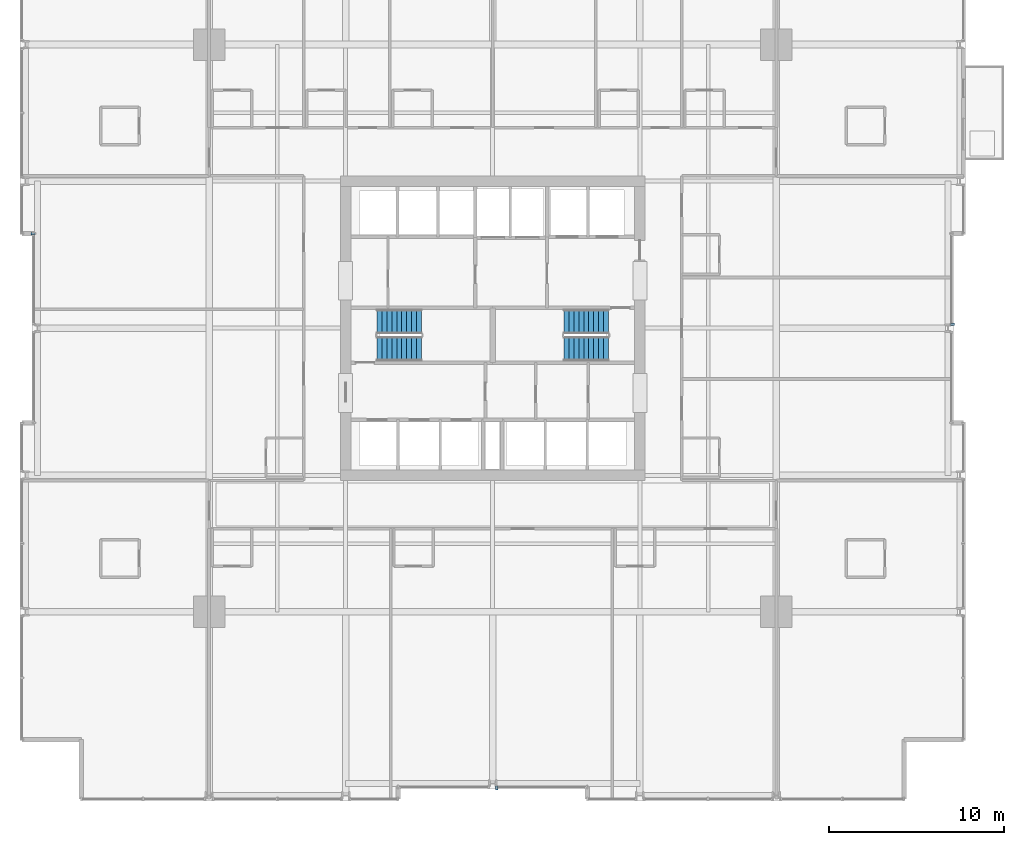
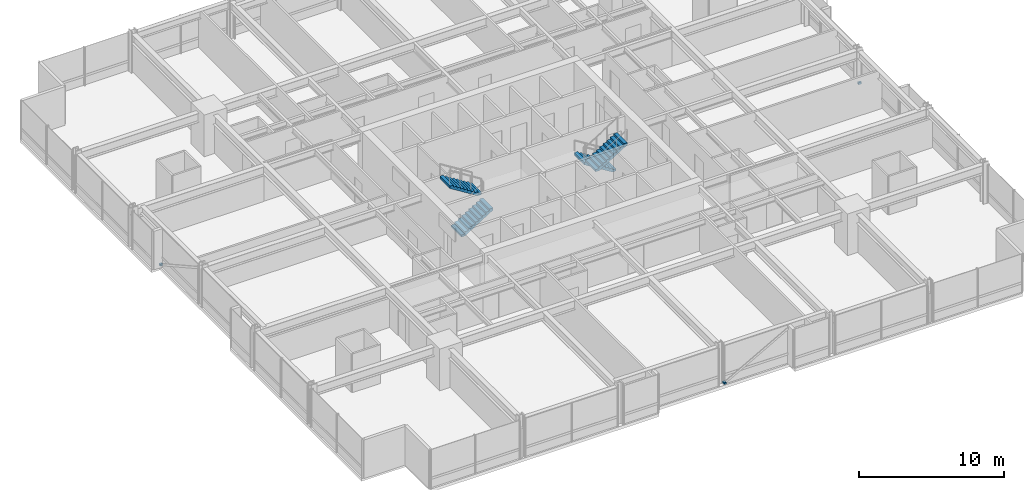
# One storey, part 34 of 38: 4 stair flights, 3 discrete accessories, 2 elements without a shape of their own.
"""IFC4 building model written with IfcOpenShell, lengths in metres."""

from ifc_helpers import new_model, si_unit, direction, frame, origin, origin_2d, place, context, subcontext, project, spatial, polyline, rectangle, outline, extrude, material, type_object, element, aggregate, save


model = new_model("IFC4")

# Units and contexts
model_context = context("Model", 3, precision=1e-05, world=origin(), true_north=direction((0.0, 1.0)))
body_context = subcontext(model_context, "Body", "Model", "MODEL_VIEW")
ifc_project = project(units=[si_unit("LENGTHUNIT", "METRE"), si_unit("AREAUNIT", "SQUARE_METRE"), si_unit("VOLUMEUNIT", "CUBIC_METRE"), si_unit("PLANEANGLEUNIT", "RADIAN"), si_unit("MASSUNIT", "GRAM", prefix="KILO")], contexts=[model_context])

# Site, building, storey
site_placement = place(None, origin())
site = spatial("IfcSite", under=ifc_project, at=site_placement, CompositionType="ELEMENT")
building_placement = place(site_placement, origin())
building = spatial("IfcBuilding", under=site, at=building_placement, Name="Drelvath Grand Hotel", CompositionType="ELEMENT")
storey_placement = place(building_placement, frame((0.0, 0.0, 64.699951171875)))
storey = spatial("IfcBuildingStorey", under=building, at=storey_placement, Name="L15", CompositionType="ELEMENT", Elevation=64.699951171875)

# Stair, stair flights
ifc_material_1 = material(Name="Concrete C40/50", Category="concrete")
stair_type = type_object("IfcStairType", Name="Dogleg Exit Stair W1400-R175.0", PredefinedType="HALF_TURN_STAIR", material=ifc_material_1)
stair_1_placement = place(storey_placement, origin())
stair_1 = element("IfcStair", 1, at=stair_1_placement, inside=storey, type_object=stair_type, Name="L15 Core Exit Stair ST-1", PredefinedType="HALF_TURN_STAIR")
stair_flight_type = type_object("IfcStairFlightType", Name="Concrete Stair Flight W1400-R175.0", PredefinedType="STRAIGHT", material=ifc_material_1)
stair_flight_1_placement = place(storey_placement, frame((-6.60009765625, 25.820068359375, 0.0), z_axis=(0.0, 0.0, 1.0), x_axis=(1.0, 0.0, 0.0)))
stair_flight_1 = element("IfcStairFlight", 2, at=stair_flight_1_placement, type_object=stair_flight_type, Name="ST-1 flight 1", NumberOfRisers=10, NumberOfTreads=9, PredefinedType="STRAIGHT", RiserHeight=0.175, TreadLength=0.28, context=body_context, shape_type="SweptSolid", body=[
    extrude(outline(polyline([(0.0, 0.0), (0.0, 0.175048828125), (0.280029296875, 0.175048828125), (0.280029296875, 0.35009765625), (0.56005859375, 0.35009765625), (0.56005859375, 0.52490234375), (0.840087890625, 0.52490234375), (0.840087890625, 0.699951171875), (1.1201171875, 0.699951171875), (1.1201171875, 0.875), (1.39990234375, 0.875), (1.39990234375, 1.050048828125), (1.679931640625, 1.050048828125), (1.679931640625, 1.22509765625), (1.9599609375, 1.22509765625), (1.9599609375, 1.39990234375), (2.239990234375, 1.39990234375), (2.239990234375, 1.574951171875), (2.52001953125, 1.574951171875), (2.52001953125, 1.75), (2.52001953125, 1.386474609375), (0.3017578125, 0.0), (0.0, 0.0)])), frame((0.0, 0.699951171875, 0.0), z_axis=(0.0, -1.0, 0.0), x_axis=(1.0, 0.0, 0.0)), (0.0, 0.0, 1.0), 1.39990234375),
])
stair_flight_2_placement = place(storey_placement, frame((-4.080078125, 27.3798828125, 1.75), z_axis=(0.0, 0.0, 1.0), x_axis=(-1.0, 0.0, 0.0)))
stair_flight_2 = element("IfcStairFlight", 3, at=stair_flight_2_placement, type_object=stair_flight_type, Name="ST-1 flight 2", NumberOfRisers=10, NumberOfTreads=9, PredefinedType="STRAIGHT", RiserHeight=0.175, TreadLength=0.28, context=body_context, shape_type="SweptSolid", body=[
    extrude(outline(polyline([(0.0, 0.0), (0.0, 0.175048828125), (0.280029296875, 0.175048828125), (0.280029296875, 0.35009765625), (0.56005859375, 0.35009765625), (0.56005859375, 0.52490234375), (0.840087890625, 0.52490234375), (0.840087890625, 0.699951171875), (1.1201171875, 0.699951171875), (1.1201171875, 0.875), (1.39990234375, 0.875), (1.39990234375, 1.050048828125), (1.679931640625, 1.050048828125), (1.679931640625, 1.22509765625), (1.9599609375, 1.22509765625), (1.9599609375, 1.39990234375), (2.239990234375, 1.39990234375), (2.239990234375, 1.574951171875), (2.52001953125, 1.574951171875), (2.52001953125, 1.75), (2.52001953125, 1.386474609375), (0.3017578125, 0.0), (0.0, 0.0)])), frame((0.0, 0.699951171875, 0.0), z_axis=(0.0, -1.0, 0.0), x_axis=(1.0, 0.0, 0.0)), (0.0, 0.0, 1.0), 1.39990234375),
])
aggregate(stair_1, [stair_flight_1, stair_flight_2])

stair_2_placement = place(storey_placement, origin())
stair_2 = element("IfcStair", 4, at=stair_2_placement, inside=storey, type_object=stair_type, Name="L15 Core Exit Stair ST-2", PredefinedType="HALF_TURN_STAIR")
stair_flight_3_placement = place(storey_placement, frame((6.60009765625, 27.3798828125, 0.0), z_axis=(0.0, 0.0, 1.0), x_axis=(-1.0, 0.0, 0.0)))
stair_flight_3 = element("IfcStairFlight", 5, at=stair_flight_3_placement, type_object=stair_flight_type, Name="ST-2 flight 1", NumberOfRisers=10, NumberOfTreads=9, PredefinedType="STRAIGHT", RiserHeight=0.175, TreadLength=0.28, context=body_context, shape_type="SweptSolid", body=[
    extrude(outline(polyline([(0.0, 0.0), (0.0, 0.175048828125), (0.280029296875, 0.175048828125), (0.280029296875, 0.35009765625), (0.56005859375, 0.35009765625), (0.56005859375, 0.52490234375), (0.840087890625, 0.52490234375), (0.840087890625, 0.699951171875), (1.1201171875, 0.699951171875), (1.1201171875, 0.875), (1.39990234375, 0.875), (1.39990234375, 1.050048828125), (1.679931640625, 1.050048828125), (1.679931640625, 1.22509765625), (1.9599609375, 1.22509765625), (1.9599609375, 1.39990234375), (2.239990234375, 1.39990234375), (2.239990234375, 1.574951171875), (2.52001953125, 1.574951171875), (2.52001953125, 1.75), (2.52001953125, 1.386474609375), (0.3017578125, 0.0), (0.0, 0.0)])), frame((0.0, 0.699951171875, 0.0), z_axis=(0.0, -1.0, 0.0), x_axis=(1.0, 0.0, 0.0)), (0.0, 0.0, 1.0), 1.39990234375),
])
stair_flight_4_placement = place(storey_placement, frame((4.080078125, 25.820068359375, 1.75), z_axis=(0.0, 0.0, 1.0), x_axis=(1.0, 0.0, 0.0)))
stair_flight_4 = element("IfcStairFlight", 6, at=stair_flight_4_placement, type_object=stair_flight_type, Name="ST-2 flight 2", NumberOfRisers=10, NumberOfTreads=9, PredefinedType="STRAIGHT", RiserHeight=0.175, TreadLength=0.28, context=body_context, shape_type="SweptSolid", body=[
    extrude(outline(polyline([(0.0, 0.0), (0.0, 0.175048828125), (0.280029296875, 0.175048828125), (0.280029296875, 0.35009765625), (0.56005859375, 0.35009765625), (0.56005859375, 0.52490234375), (0.840087890625, 0.52490234375), (0.840087890625, 0.699951171875), (1.1201171875, 0.699951171875), (1.1201171875, 0.875), (1.39990234375, 0.875), (1.39990234375, 1.050048828125), (1.679931640625, 1.050048828125), (1.679931640625, 1.22509765625), (1.9599609375, 1.22509765625), (1.9599609375, 1.39990234375), (2.239990234375, 1.39990234375), (2.239990234375, 1.574951171875), (2.52001953125, 1.574951171875), (2.52001953125, 1.75), (2.52001953125, 1.386474609375), (0.3017578125, 0.0), (0.0, 0.0)])), frame((0.0, 0.699951171875, 0.0), z_axis=(0.0, -1.0, 0.0), x_axis=(1.0, 0.0, 0.0)), (0.0, 0.0, 1.0), 1.39990234375),
])
aggregate(stair_2, [stair_flight_3, stair_flight_4])

# Discrete accessories
ifc_material_2 = material(Name="Stainless Steel Grade 316", Category="steel")
discrete_accessory_type = type_object("IfcDiscreteAccessoryType", Name="Curtain Wall Fin Mounting Bracket Cleat", PredefinedType="BRACKET", material=ifc_material_2)
for number, where, z_axis, x_axis, name in (
    (7, (-26.260009765625, 32.39990234375, 0.10009765625), (0.0, 0.0, 1.0), (0.0, 1.0, 0.0), "L15 Fin Mounting Bracket CW02-L15-WM2-1"),
    (8, (26.260009765625, 27.22900390625, 0.10009765625), (0.0, 0.0, 1.0), (0.0, -1.0, 0.0), "L15 Fin Mounting Bracket CW02-L15-EM2-1"),
    (9, (0.22900390625, 0.739990234375, 0.10009765625), (0.0, 0.0, 1.0), (-1.0, 0.0, 0.0), "L15 Fin Mounting Bracket CW02-L15-SM2-1"),
):
    element("IfcDiscreteAccessory", number, at=place(storey_placement, frame(where, z_axis=z_axis, x_axis=x_axis)), inside=storey, type_object=discrete_accessory_type, Name=name, PredefinedType="BRACKET", context=body_context, shape_type="SweptSolid", body=[
        extrude(rectangle(XDim=0.159912109375, YDim=0.239990234375, at=origin_2d()), origin(), (0.0, 0.0, 1.0), 0.159912109375),
    ])

save(model, "model.ifc")
